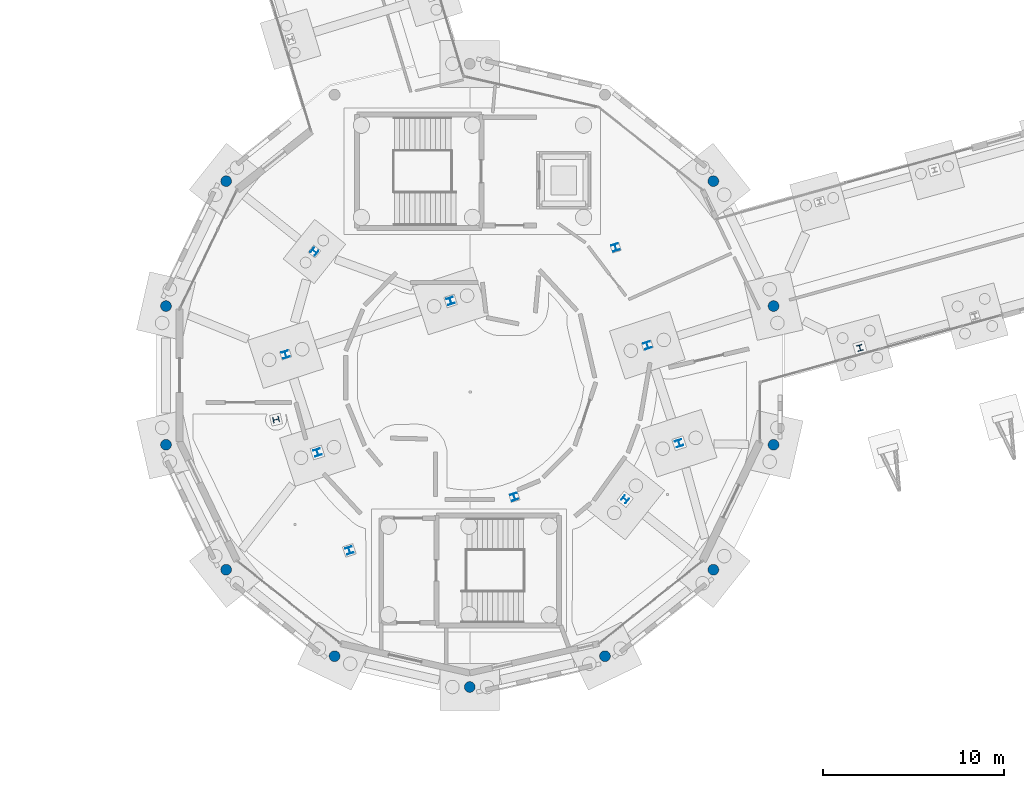
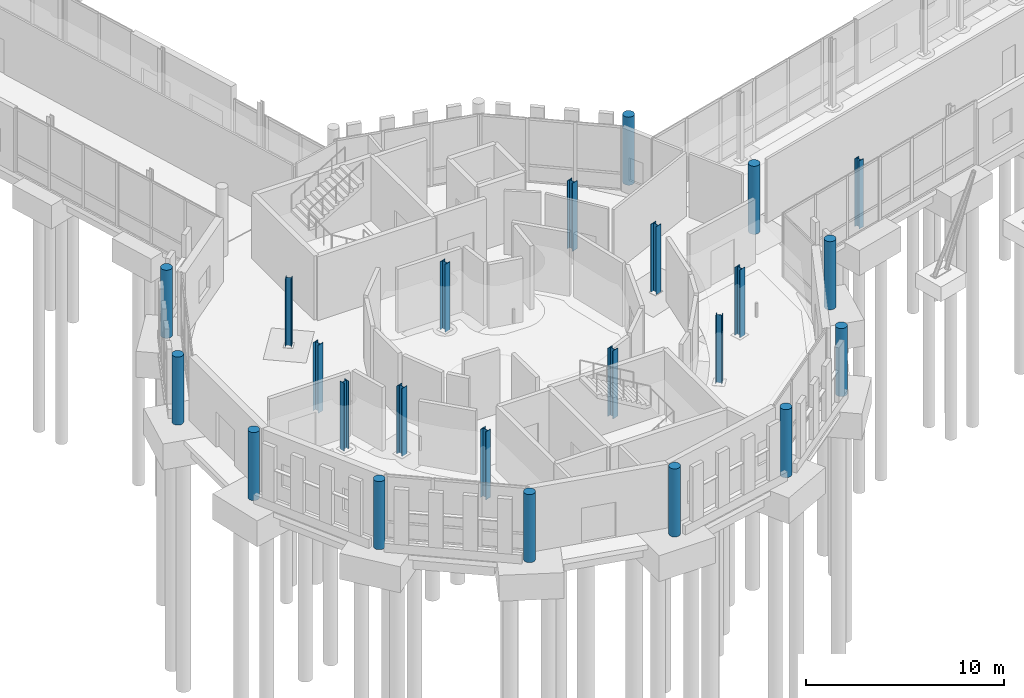
# One storey, part 5 of 113: 23 columns.
"""IFC4 building model written with IfcOpenShell, lengths in metres."""

from ifc_helpers import new_model, si_unit, direction, frame, origin, origin_2d, place, context, subcontext, project, spatial, circle, i_section, extrude, material, material_profile, profile_set, type_object, element, save


model = new_model("IFC4")

# Units and contexts
model_context = context("Model", 3, precision=1e-05, world=origin(), true_north=direction((0.0, 1.0)))
body_context = subcontext(model_context, "Body", "Model", "MODEL_VIEW")
ifc_project = project(units=[si_unit("LENGTHUNIT", "METRE"), si_unit("AREAUNIT", "SQUARE_METRE"), si_unit("VOLUMEUNIT", "CUBIC_METRE"), si_unit("PLANEANGLEUNIT", "RADIAN"), si_unit("MASSUNIT", "GRAM", prefix="KILO")], contexts=[model_context])

# Site, building, storey
site_placement = place(None, origin())
site = spatial("IfcSite", under=ifc_project, at=site_placement, CompositionType="ELEMENT")
building_placement = place(site_placement, origin())
building = spatial("IfcBuilding", under=site, at=building_placement, Name="Wrenclough Park School", CompositionType="ELEMENT")
storey_placement = place(building_placement, origin())
storey = spatial("IfcBuildingStorey", under=building, at=storey_placement, Name="L00", CompositionType="ELEMENT", Elevation=0.0)

# Columns
ifc_material_1 = material(Name="Concrete C40/50", Category="concrete")
ifc_material_profile_1 = material_profile(ifc_material_1, circle(Radius=0.300048828125, at=origin_2d()), Name="RC COL D600")
ifc_profile_set_1 = profile_set([ifc_material_profile_1], Name="Concrete C40/50")
column_type_1 = type_object("IfcColumnType", Name="STR-COL-RCD600", PredefinedType="COLUMN", material=ifc_profile_set_1)
for number, where, z_axis, x_axis, name in (
    (1, (53.3173828125, 27.33837890625, 0.0), (0.0, 0.0, 1.0), (-0.222569549971, 0.974916814618, 0.0), "D2 L00 column D2-OUT-01"),
    (2, (49.986572265625, 34.255126953125, 0.0), (0.0, 0.0, 1.0), (-0.623470308046, 0.781847027868, 0.0), "D2 L00 column D2-OUT-02"),
    (3, (23.013427734375, 34.255126953125, 0.0), (0.0, 0.0, 1.0), (-0.623470308046, -0.781847027868, 0.0), "D2 L00 column D2-OUT-06"),
    (4, (19.6826171875, 27.33837890625, 0.0), (0.0, 0.0, 1.0), (-0.222569549971, -0.974916814618, 0.0), "D2 L00 column D2-OUT-07"),
    (5, (19.6826171875, 19.66162109375, 0.0), (0.0, 0.0, 1.0), (0.222569549971, -0.974916814618, 0.0), "D2 L00 column D2-OUT-08"),
    (6, (23.013427734375, 12.744873046875, 0.0), (0.0, 0.0, 1.0), (0.623470308046, -0.781847027868, 0.0), "D2 L00 column D2-OUT-09"),
    (7, (29.015380859375, 7.958251953125, 0.0), (0.0, 0.0, 1.0), (0.90100131981, -0.43381634559, 0.0), "D2 L00 column D2-OUT-10"),
    (8, (36.5, 6.25, 0.0), (0.0, 0.0, 1.0), (1.0, 0.0, 0.0), "D2 L00 column D2-OUT-11"),
    (9, (43.984619140625, 7.958251953125, 0.0), (0.0, 0.0, 1.0), (0.90100131981, 0.43381634559, 0.0), "D2 L00 column D2-OUT-12"),
    (10, (49.986572265625, 12.744873046875, 0.0), (0.0, 0.0, 1.0), (0.623470308046, 0.781847027868, 0.0), "D2 L00 column D2-OUT-13"),
    (11, (53.3173828125, 19.66162109375, 0.0), (0.0, 0.0, 1.0), (0.222569549971, 0.974916814618, 0.0), "D2 L00 column D2-OUT-14"),
):
    element("IfcColumn", number, at=place(storey_placement, frame(where, z_axis=z_axis, x_axis=x_axis)), inside=storey, type_object=column_type_1, Name=name, PredefinedType="COLUMN", context=body_context, shape_type="SweptSolid", body=[
        extrude(circle(Radius=0.300048828125, at=origin_2d()), origin(), (0.0, 0.0, 1.0), 4.199951171875),
    ])
ifc_material_2 = material(Name="Structural steel S355", Category="steel")
ifc_material_profile_2 = material_profile(ifc_material_2, i_section(OverallWidth=0.311279296875, OverallDepth=0.3271484375, WebThickness=0.015869140625, FlangeThickness=0.02490234375, FilletRadius=0.01513671875, at=origin_2d()), Name="UKC 305x305x158")
ifc_profile_set_2 = profile_set([ifc_material_profile_2], Name="Structural steel S355")
column_type_2 = type_object("IfcColumnType", Name="STR-COL-UKC305B", PredefinedType="COLUMN", material=ifc_profile_set_2)
for number, where, z_axis, x_axis, name in (
    (12, (58.099609375, 25.0224609375, 0.0), (0.0, 0.0, 1.0), (0.964002648928, 0.265892634084, 0.0), "W12 L00 column EAVE-ENTRANCE-F1"),
    (13, (27.89990234375, 30.3583984375, 0.0), (0.0, 0.0, 1.0), (-0.623470308046, -0.781847027868, 0.0), "D2 L00 column D2-MID-06"),
    (14, (25.77587890625, 21.05224609375, 0.0), (0.0, 0.0, 1.0), (0.222569549971, -0.974916814618, 0.0), "D2 L00 column D2-MID-08"),
    (15, (45.10009765625, 16.6416015625, 0.0), (0.0, 0.0, 1.0), (0.623470308046, 0.781847027868, 0.0), "D2 L00 column D2-MID-13"),
):
    element("IfcColumn", number, at=place(storey_placement, frame(where, z_axis=z_axis, x_axis=x_axis)), inside=storey, type_object=column_type_2, Name=name, PredefinedType="COLUMN", context=body_context, shape_type="SweptSolid", body=[
        extrude(i_section(OverallWidth=0.311279296875, OverallDepth=0.3271484375, WebThickness=0.015869140625, FlangeThickness=0.02490234375, FilletRadius=0.01513671875, at=origin_2d()), origin(), (0.0, 0.0, 1.0), 4.199951171875),
    ])
ifc_material_profile_3 = material_profile(ifc_material_2, i_section(OverallWidth=0.37255859375, OverallDepth=0.3681640625, WebThickness=0.014404296875, FlangeThickness=0.023681640625, FilletRadius=0.01513671875, at=origin_2d()), Name="UKC 356x368x177")
ifc_profile_set_3 = profile_set([ifc_material_profile_3], Name="Structural steel S355")
column_type_3 = type_object("IfcColumnType", Name="STR-COL-UKC356", PredefinedType="COLUMN", material=ifc_profile_set_3)
for number, where, z_axis, x_axis, name in (
    (16, (29.831298828125, 13.8125, 0.0), (0.0, 0.0, 1.0), (0.951056516295, 0.309016994375, 0.0), "D2 L00 column D2HR-0-0"),
    (17, (28.06982421875, 19.2333984375, 0.0), (0.0, 0.0, 1.0), (0.951056516295, 0.309016994375, 0.0), "D2 L00 column D2HR-0-1"),
    (18, (26.30859375, 24.654541015625, 0.0), (0.0, 0.0, 1.0), (0.951056516295, 0.309016994375, 0.0), "D2 L00 column D2HR-0-2"),
    (19, (38.96142578125, 16.779052734375, 0.0), (0.0, 0.0, 1.0), (0.951056516295, 0.309016994375, 0.0), "D2 L00 column D2HR-1-0"),
    (20, (35.438720703125, 27.62109375, 0.0), (0.0, 0.0, 1.0), (0.951056516295, 0.309016994375, 0.0), "D2 L00 column D2HR-1-2"),
    (21, (48.091552734375, 19.74560546875, 0.0), (0.0, 0.0, 1.0), (0.951056516295, 0.309016994375, 0.0), "D2 L00 column D2HR-2-0"),
    (22, (46.330078125, 25.16650390625, 0.0), (0.0, 0.0, 1.0), (0.951056516295, 0.309016994375, 0.0), "D2 L00 column D2HR-2-1"),
    (23, (44.568603515625, 30.587646484375, 0.0), (0.0, 0.0, 1.0), (0.951056516295, 0.309016994375, 0.0), "D2 L00 column D2HR-2-2"),
):
    element("IfcColumn", number, at=place(storey_placement, frame(where, z_axis=z_axis, x_axis=x_axis)), inside=storey, type_object=column_type_3, Name=name, PredefinedType="COLUMN", context=body_context, shape_type="SweptSolid", body=[
        extrude(i_section(OverallWidth=0.37255859375, OverallDepth=0.3681640625, WebThickness=0.014404296875, FlangeThickness=0.023681640625, FilletRadius=0.01513671875, at=origin_2d()), origin(), (0.0, 0.0, 1.0), 4.199951171875),
    ])

save(model, "model.ifc")
